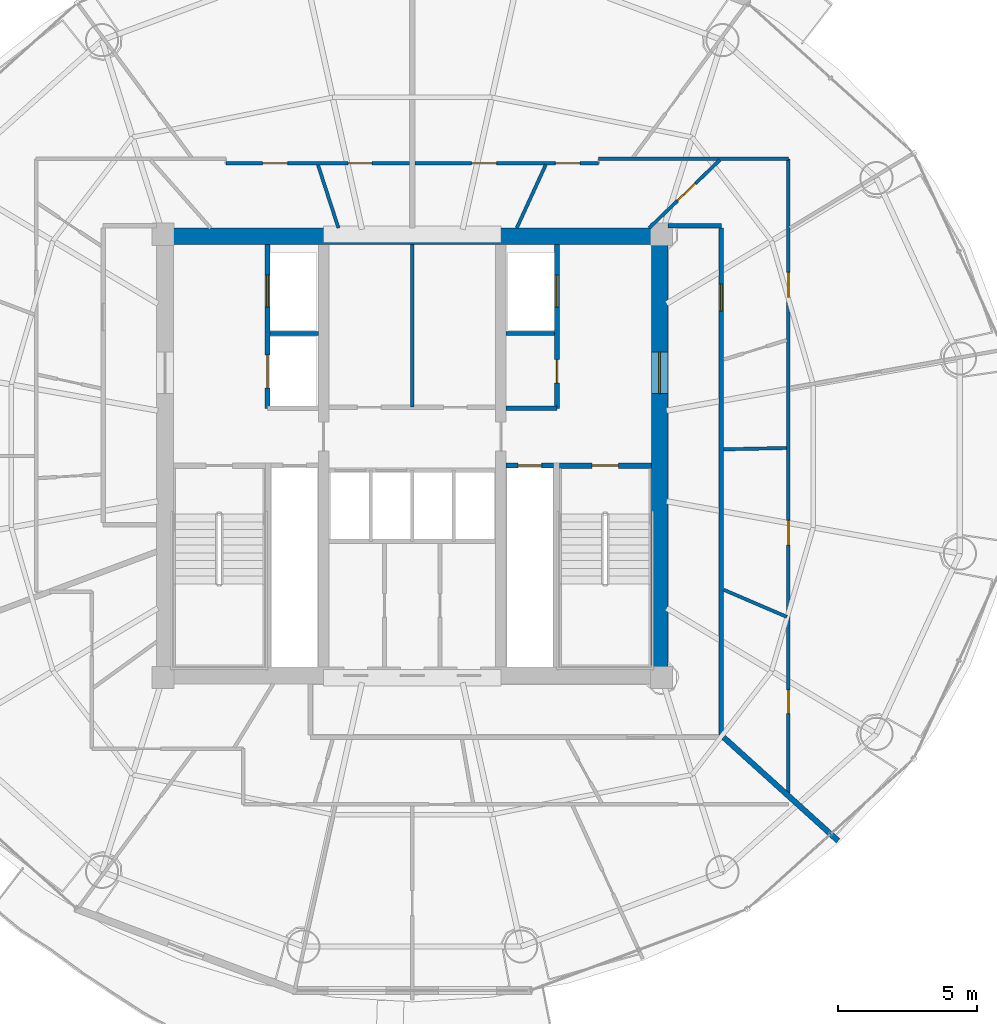
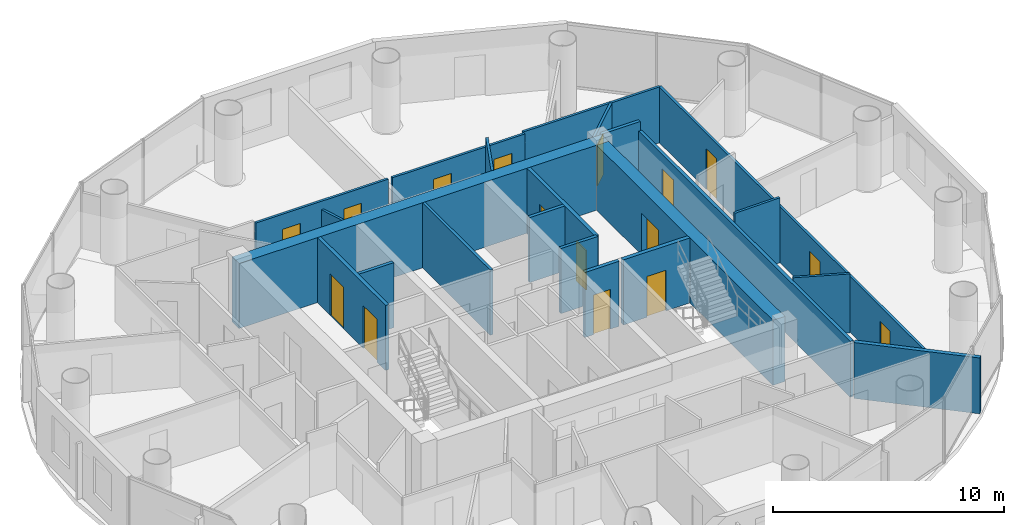
# One storey, part 22 of 26: 22 walls, 16 doors, 16 openings.
"""IFC4 building model written with IfcOpenShell, lengths in metres."""

from ifc_helpers import new_model, si_unit, direction, frame, frame_2d, origin, place, context, subcontext, project, spatial, rectangle, extrude, source, transform, mapped, material, layer, layer_set, type_object, element, fill, save


model = new_model("IFC4")

# Units and contexts
model_context = context("Model", 3, precision=1e-05, world=origin(), true_north=direction((-0.2419218956, 0.970295726276)))
body_context = subcontext(model_context, "Body", "Model", "MODEL_VIEW")
ifc_project = project(units=[si_unit("LENGTHUNIT", "METRE"), si_unit("AREAUNIT", "SQUARE_METRE"), si_unit("VOLUMEUNIT", "CUBIC_METRE"), si_unit("PLANEANGLEUNIT", "RADIAN"), si_unit("MASSUNIT", "GRAM", prefix="KILO")], contexts=[model_context])

# Site, building, storey
site_placement = place(None, origin())
site = spatial("IfcSite", under=ifc_project, at=site_placement, CompositionType="ELEMENT")
building_placement = place(site_placement, origin())
building = spatial("IfcBuilding", under=site, at=building_placement, Name="Cobrevalo Terracotta Tower", CompositionType="ELEMENT")
storey_placement = place(building_placement, frame((0.0, 0.0, 206.0)))
storey = spatial("IfcBuildingStorey", under=building, at=storey_placement, Name="L54", CompositionType="ELEMENT", Elevation=206.0)

# Wall
ifc_material_1 = material(Name="Concrete C55", Category="concrete")
ifc_layer_1 = layer(ifc_material_1, 0.60009765625)
ifc_layer_set_1 = layer_set([ifc_layer_1], Name="Concrete C55")
wall_type_1 = type_object("IfcWallType", Name="Core shear wall 600 mm Concrete C55", PredefinedType="SHEAR", material=ifc_layer_set_1)
wall_1_placement = place(storey_placement, frame((28.77490234375, 34.72509765625, 0.0), z_axis=(0.0, 0.0, 1.0), x_axis=(1.0, 0.0, 0.0)))
element("IfcWall", 1, at=wall_1_placement, inside=storey, type_object=wall_type_1, Name="L54 north core shear wall", PredefinedType="SHEAR", context=body_context, shape_type="SweptSolid", body=[
    extrude(rectangle(XDim=18.4501953125, YDim=0.60009765625, at=frame_2d((9.22509765625, 0.0))), origin(), (0.0, 0.0, 1.0), 3.43505859375),
])

# Wall, opening, door
wall_2_placement = place(storey_placement, frame((46.925048828125, 19.175048828125, 0.0), z_axis=(0.0, 0.0, 1.0), x_axis=(0.0, 1.0, 0.0)))
wall_2 = element("IfcWall", 2, at=wall_2_placement, inside=storey, type_object=wall_type_1, Name="L54 east core shear wall", PredefinedType="SHEAR", context=body_context, shape_type="SweptSolid", body=[
    extrude(rectangle(XDim=15.25, YDim=0.60009765625, at=frame_2d((7.625, 0.0))), origin(), (0.0, 0.0, 1.0), 3.43505859375),
])
opening_1_placement = place(wall_2_placement, frame((9.875, 0.0, 0.0)))
opening_1 = element("IfcOpeningElement", 3, at=opening_1_placement, cuts=wall_2, Name="Opening ID-14", PredefinedType="OPENING", context=body_context, shape_type="SweptSolid", body=[
    extrude(rectangle(XDim=1.5, YDim=2.199951171875, at=frame_2d((0.75, 1.10009765625))), frame((0.0, 0.31005859375, 0.0), z_axis=(0.0, -1.0, 0.0), x_axis=(1.0, 0.0, 0.0)), (0.0, 0.0, 1.0), 0.6201171875),
])
ifc_material_2 = material(Name="Galvanized fire-rated steel", Category="steel")
door_type_1 = type_object("IfcDoorType", Name="Core cross-lobby double fire door 1500x2200 EI 90", OperationType="NOTDEFINED", PredefinedType="DOOR", material=ifc_material_2)
shared_shape_1 = source(origin(), body_context, "Body", "SweptSolid", [
    extrude(rectangle(XDim=1.5, YDim=2.199951171875, at=frame_2d((0.75, 1.10009765625))), frame((0.0, 0.02490234375, 0.0), z_axis=(0.0, -1.0, 0.0), x_axis=(1.0, 0.0, 0.0)), (0.0, 0.0, 1.0), 0.050048828125),
])
door_1_placement = place(opening_1_placement, frame((1.5, 0.0, 0.0), z_axis=(0.0, 0.0, 1.0), x_axis=(-1.0, 0.0, 0.0)))
door_1 = element("IfcDoor", 4, at=door_1_placement, inside=storey, type_object=door_type_1, Name="L54 east firefighting lobby entrance door", OperationType="DOUBLE_DOOR_SINGLE_SWING", OverallHeight=2.199951171875, OverallWidth=1.5, PredefinedType="DOOR", context=body_context, shape_type="MappedRepresentation", body=[
    mapped(shared_shape_1, transform((0.0, 0.0, 0.0), scale=1.0)),
])
fill(opening_1, door_1)

# Walls
ifc_material_3 = material(Name="Gypsum board on steel stud", Category="steel")
ifc_layer_2 = layer(ifc_material_3, 0.159912109375)
ifc_layer_set_2 = layer_set([ifc_layer_2], Name="Gypsum board on steel stud")
wall_type_2 = type_object("IfcWallType", Name="Fire-rated corridor acoustic partition wall 160 mm", PredefinedType="PARTITIONING", material=ifc_layer_set_2)
for number, where, z_axis, x_axis, name in (
    (5, (32.860107421875, 31.219970703125, 0.0), (0.0, 0.0, 1.0), (1.0, 0.0, 0.0), "L54 interior partition IW-L54-FF1-M"),
    (6, (41.389892578125, 31.219970703125, 0.0), (0.0, 0.0, 1.0), (1.0, 0.0, 0.0), "L54 interior partition IW-L54-FF2-M"),
):
    element("IfcWall", number, at=place(storey_placement, frame(where, z_axis=z_axis, x_axis=x_axis)), inside=storey, type_object=wall_type_2, Name=name, PredefinedType="PARTITIONING", context=body_context, shape_type="SweptSolid", body=[
        extrude(rectangle(XDim=1.75, YDim=0.159912109375, at=frame_2d((0.875, 0.0))), origin(), (0.0, 0.0, 1.0), 3.43505859375),
    ])
wall_3_placement = place(storey_placement, frame((41.389892578125, 28.52001953125, 0.0), z_axis=(0.0, 0.0, 1.0), x_axis=(1.0, 0.0, 0.0)))
element("IfcWall", 7, at=wall_3_placement, inside=storey, type_object=wall_type_2, Name="L54 interior partition IW-L54-FF2-S", PredefinedType="PARTITIONING", context=body_context, shape_type="SweptSolid", body=[
    extrude(rectangle(XDim=1.840087890625, YDim=0.159912109375, at=frame_2d((0.919921875, 0.0))), origin(), (0.0, 0.0, 1.0), 3.43505859375),
])

# Wall, opening, door
wall_4_placement = place(storey_placement, frame((49.155029296875, 16.72509765625, 0.0), z_axis=(0.0, 0.0, 1.0), x_axis=(0.0, 1.0, 0.0)))
wall_4 = element("IfcWall", 8, at=wall_4_placement, inside=storey, type_object=wall_type_2, Name="L54 interior partition IW-L54-COR-E", PredefinedType="PARTITIONING", context=body_context, shape_type="SweptSolid", body=[
    extrude(rectangle(XDim=18.2998046875, YDim=0.159912109375, at=frame_2d((9.14990234375, 0.0))), origin(), (0.0, 0.0, 1.0), 2.950927734375),
])
opening_2_placement = place(wall_4_placement, frame((15.301513671875, 0.0, 0.0)))
opening_2 = element("IfcOpeningElement", 9, at=opening_2_placement, cuts=wall_4, Name="Opening ID-05", PredefinedType="OPENING", context=body_context, shape_type="SweptSolid", body=[
    extrude(rectangle(XDim=0.97998046875, YDim=2.199951171875, at=frame_2d((0.489990234375, 1.10009765625))), frame((0.0, 0.08984375, 0.0), z_axis=(0.0, -1.0, 0.0), x_axis=(1.0, 0.0, 0.0)), (0.0, 0.0, 1.0), 0.179931640625),
])
ifc_material_4 = material(Name="Solid hardwood timber", Category="wood")
door_type_2 = type_object("IfcDoorType", Name="Residence entrance fire-rated acoustic timber door 980x2200 EI 60", OperationType="NOTDEFINED", PredefinedType="DOOR", material=ifc_material_4)
shared_shape_2 = source(origin(), body_context, "Body", "SweptSolid", [
    extrude(rectangle(XDim=0.97998046875, YDim=2.199951171875, at=frame_2d((0.489990234375, 1.10009765625))), frame((0.0, 0.02490234375, 0.0), z_axis=(0.0, -1.0, 0.0), x_axis=(1.0, 0.0, 0.0)), (0.0, 0.0, 1.0), 0.050048828125),
])
door_2_placement = place(opening_2_placement, frame((0.97998046875, 0.0, 0.0), z_axis=(0.0, 0.0, 1.0), x_axis=(-1.0, 0.0, 0.0)))
door_2 = element("IfcDoor", 10, at=door_2_placement, inside=storey, type_object=door_type_2, Name="Flat L54C fire-rated apartment entrance door", OperationType="SINGLE_SWING_RIGHT", OverallHeight=2.199951171875, OverallWidth=0.97998046875, PredefinedType="DOOR", context=body_context, shape_type="MappedRepresentation", body=[
    mapped(shared_shape_2, transform((0.0, 0.0, 0.0), scale=1.0)),
])
fill(opening_2, door_2)

# Wall
wall_5_placement = place(storey_placement, frame((47.22509765625, 35.10498046875, 0.0), z_axis=(0.0, 0.0, 1.0), x_axis=(1.0, 0.0, 0.0)))
element("IfcWall", 11, at=wall_5_placement, inside=storey, type_object=wall_type_2, Name="L54 interior partition IW-L54-COR-EN-CAP", PredefinedType="PARTITIONING", context=body_context, shape_type="SweptSolid", body=[
    extrude(rectangle(XDim=1.929931640625, YDim=0.159912109375, at=frame_2d((0.96484375, 0.0))), origin(), (0.0, 0.0, 1.0), 3.43505859375),
])

# Wall, opening, door
ifc_layer_3 = layer(ifc_material_3, 0.179931640625)
ifc_layer_set_3 = layer_set([ifc_layer_3], Name="Gypsum board on steel stud")
wall_type_3 = type_object("IfcWallType", Name="Fire-rated shaft & lobby acoustic partition wall 180 mm", PredefinedType="PARTITIONING", material=ifc_layer_set_3)
wall_6_placement = place(storey_placement, frame((41.389892578125, 26.449951171875, 0.0), z_axis=(0.0, 0.0, 1.0), x_axis=(1.0, 0.0, 0.0)))
wall_6 = element("IfcWall", 12, at=wall_6_placement, inside=storey, type_object=wall_type_3, Name="L54 interior partition IW-L54-RSE-N", PredefinedType="PARTITIONING", context=body_context, shape_type="SweptSolid", body=[
    extrude(rectangle(XDim=1.710205078125, YDim=0.179931640625, at=frame_2d((0.85498046875, 0.0))), origin(), (0.0, 0.0, 1.0), 3.43505859375),
])
opening_3_placement = place(wall_6_placement, frame((0.429931640625, 0.0, 0.0)))
opening_3 = element("IfcOpeningElement", 13, at=opening_3_placement, cuts=wall_6, Name="Opening ID-22", PredefinedType="OPENING", context=body_context, shape_type="SweptSolid", body=[
    extrude(rectangle(XDim=0.85009765625, YDim=2.10009765625, at=frame_2d((0.425048828125, 1.050048828125))), frame((0.0, 0.10009765625, 0.0), z_axis=(0.0, -1.0, 0.0), x_axis=(1.0, 0.0, 0.0)), (0.0, 0.0, 1.0), 0.199951171875),
])
ifc_material_5 = material(Name="Powder-coated steel", Category="steel")
door_type_3 = type_object("IfcDoorType", Name="Riser shaft & meter closet fire access door 850x2100 EI 60", OperationType="NOTDEFINED", PredefinedType="DOOR", material=ifc_material_5)
shared_shape_3 = source(origin(), body_context, "Body", "SweptSolid", [
    extrude(rectangle(XDim=0.85009765625, YDim=2.10009765625, at=frame_2d((0.425048828125, 1.050048828125))), frame((0.0, 0.02490234375, 0.0), z_axis=(0.0, -1.0, 0.0), x_axis=(1.0, 0.0, 0.0)), (0.0, 0.0, 1.0), 0.050048828125),
])
door_3_placement = place(opening_3_placement, origin())
door_3 = element("IfcDoor", 14, at=door_3_placement, inside=storey, type_object=door_type_3, Name="L54 riser access door RSE", OperationType="SINGLE_SWING_RIGHT", OverallHeight=2.10009765625, OverallWidth=0.85009765625, PredefinedType="DOOR", context=body_context, shape_type="MappedRepresentation", body=[
    mapped(shared_shape_3, transform((0.0, 0.0, 0.0), scale=1.0)),
])
fill(opening_3, door_3)

# Wall, openings, doors
wall_7_placement = place(storey_placement, frame((32.77001953125, 28.52001953125, 0.0), z_axis=(0.0, 0.0, 1.0), x_axis=(0.0, 1.0, 0.0)))
wall_7 = element("IfcWall", 15, at=wall_7_placement, inside=storey, type_object=wall_type_3, Name="L54 interior partition IW-L54-FF1-W", PredefinedType="PARTITIONING", context=body_context, shape_type="SweptSolid", body=[
    extrude(rectangle(XDim=5.905029296875, YDim=0.179931640625, at=frame_2d((2.95263671875, 0.0))), origin(), (0.0, 0.0, 1.0), 3.43505859375),
])
opening_4_placement = place(wall_7_placement, frame((3.655029296875, 0.0, 0.0)))
opening_4 = element("IfcOpeningElement", 16, at=opening_4_placement, cuts=wall_7, Name="Opening LD-02", PredefinedType="OPENING", context=body_context, shape_type="SweptSolid", body=[
    extrude(rectangle(XDim=1.14990234375, YDim=2.199951171875, at=frame_2d((0.574951171875, 1.10009765625))), frame((0.0, 0.10009765625, 0.0), z_axis=(0.0, -1.0, 0.0), x_axis=(1.0, 0.0, 0.0)), (0.0, 0.0, 1.0), 0.199951171875),
])
opening_5_placement = place(wall_7_placement, frame((0.72998046875, 0.0, 0.0)))
opening_5 = element("IfcOpeningElement", 17, at=opening_5_placement, cuts=wall_7, Name="Opening LD-03", PredefinedType="OPENING", context=body_context, shape_type="SweptSolid", body=[
    extrude(rectangle(XDim=1.199951171875, YDim=2.25, at=frame_2d((0.60009765625, 1.125))), frame((0.0, 0.10009765625, 0.0), z_axis=(0.0, -1.0, 0.0), x_axis=(1.0, 0.0, 0.0)), (0.0, 0.0, 1.0), 0.199951171875),
])
ifc_material_6 = material(Name="Brushed stainless steel", Category="steel")
door_type_4 = type_object("IfcDoorType", Name="Firefighting lift landing bi-parting sliding door 1150x2200 EI 120", OperationType="DOUBLE_DOOR_SLIDING", PredefinedType="DOOR", material=ifc_material_6)
shared_shape_4 = source(origin(), body_context, "Body", "SweptSolid", [
    extrude(rectangle(XDim=1.14990234375, YDim=2.199951171875, at=frame_2d((0.574951171875, 1.10009765625))), frame((0.0, 0.02490234375, 0.0), z_axis=(0.0, -1.0, 0.0), x_axis=(1.0, 0.0, 0.0)), (0.0, 0.0, 1.0), 0.050048828125),
])
door_4_placement = place(opening_4_placement, origin())
door_4 = element("IfcDoor", 18, at=door_4_placement, inside=storey, type_object=door_type_4, Name="L54 lift landing door FF-1", OperationType="DOUBLE_DOOR_SLIDING", OverallHeight=2.199951171875, OverallWidth=1.14990234375, PredefinedType="DOOR", context=body_context, shape_type="MappedRepresentation", body=[
    mapped(shared_shape_4, transform((0.0, 0.0, 0.0), scale=1.0)),
])
fill(opening_4, door_4)
door_type_5 = type_object("IfcDoorType", Name="Service lift landing bi-parting sliding door 1200x2250 EI 120", OperationType="DOUBLE_DOOR_SLIDING", PredefinedType="DOOR", material=ifc_material_6)
shared_shape_5 = source(origin(), body_context, "Body", "SweptSolid", [
    extrude(rectangle(XDim=1.199951171875, YDim=2.25, at=frame_2d((0.60009765625, 1.125))), frame((0.0, 0.02490234375, 0.0), z_axis=(0.0, -1.0, 0.0), x_axis=(1.0, 0.0, 0.0)), (0.0, 0.0, 1.0), 0.050048828125),
])
door_5_placement = place(opening_5_placement, origin())
door_5 = element("IfcDoor", 19, at=door_5_placement, inside=storey, type_object=door_type_5, Name="L54 lift landing door SV-1", OperationType="DOUBLE_DOOR_SLIDING", OverallHeight=2.25, OverallWidth=1.199951171875, PredefinedType="DOOR", context=body_context, shape_type="MappedRepresentation", body=[
    mapped(shared_shape_5, transform((0.0, 0.0, 0.0), scale=1.0)),
])
fill(opening_5, door_5)

wall_8_placement = place(storey_placement, frame((43.22998046875, 28.52001953125, 0.0), z_axis=(0.0, 0.0, 1.0), x_axis=(0.0, 1.0, 0.0)))
wall_8 = element("IfcWall", 20, at=wall_8_placement, inside=storey, type_object=wall_type_3, Name="L54 interior partition IW-L54-FF2-E", PredefinedType="PARTITIONING", context=body_context, shape_type="SweptSolid", body=[
    extrude(rectangle(XDim=5.905029296875, YDim=0.179931640625, at=frame_2d((2.95263671875, 0.0))), origin(), (0.0, 0.0, 1.0), 3.43505859375),
])
opening_6_placement = place(wall_8_placement, frame((0.905029296875, 0.0, 0.0)))
opening_6 = element("IfcOpeningElement", 21, at=opening_6_placement, cuts=wall_8, Name="Opening ID-22", PredefinedType="OPENING", context=body_context, shape_type="SweptSolid", body=[
    extrude(rectangle(XDim=0.85009765625, YDim=2.10009765625, at=frame_2d((0.425048828125, 1.050048828125))), frame((0.0, 0.10009765625, 0.0), z_axis=(0.0, -1.0, 0.0), x_axis=(1.0, 0.0, 0.0)), (0.0, 0.0, 1.0), 0.199951171875),
])
opening_7_placement = place(wall_8_placement, frame((3.655029296875, 0.0, 0.0)))
opening_7 = element("IfcOpeningElement", 22, at=opening_7_placement, cuts=wall_8, Name="Opening LD-02", PredefinedType="OPENING", context=body_context, shape_type="SweptSolid", body=[
    extrude(rectangle(XDim=1.14990234375, YDim=2.199951171875, at=frame_2d((0.574951171875, 1.10009765625))), frame((0.0, 0.10009765625, 0.0), z_axis=(0.0, -1.0, 0.0), x_axis=(1.0, 0.0, 0.0)), (0.0, 0.0, 1.0), 0.199951171875),
])
door_6_placement = place(opening_6_placement, frame((0.85009765625, 0.0, 0.0), z_axis=(0.0, 0.0, 1.0), x_axis=(-1.0, 0.0, 0.0)))
door_6 = element("IfcDoor", 23, at=door_6_placement, inside=storey, type_object=door_type_3, Name="L54 housekeeping store door", OperationType="SINGLE_SWING_RIGHT", OverallHeight=2.10009765625, OverallWidth=0.85009765625, PredefinedType="DOOR", context=body_context, shape_type="MappedRepresentation", body=[
    mapped(shared_shape_3, transform((0.0, 0.0, 0.0), scale=1.0)),
])
fill(opening_6, door_6)
door_7_placement = place(opening_7_placement, origin())
door_7 = element("IfcDoor", 24, at=door_7_placement, inside=storey, type_object=door_type_4, Name="L54 lift landing door FF-2", OperationType="DOUBLE_DOOR_SLIDING", OverallHeight=2.199951171875, OverallWidth=1.14990234375, PredefinedType="DOOR", context=body_context, shape_type="MappedRepresentation", body=[
    mapped(shared_shape_4, transform((0.0, 0.0, 0.0), scale=1.0)),
])
fill(opening_7, door_7)

# Walls
ifc_material_7 = material(Name="Autoclaved aerated concrete block", Category="concrete")
ifc_layer_4 = layer(ifc_material_7, 0.199951171875)
ifc_layer_set_4 = layer_set([ifc_layer_4], Name="Autoclaved aerated concrete block")
wall_type_4 = type_object("IfcWallType", Name="Fire-rated stair, shaft & demising masonry wall 200 mm", PredefinedType="PARTITIONING", material=ifc_layer_set_4)
wall_9_placement = place(storey_placement, frame((49.235107421875, 16.647216796875, 0.0), z_axis=(0.0, 0.0, 1.0), x_axis=(0.741935290449, -0.670471494387, 0.0)))
element("IfcWall", 25, at=wall_9_placement, inside=storey, type_object=wall_type_4, Name="L54 interior partition IW-L54-DEM-3", PredefinedType="PARTITIONING", context=body_context, shape_type="SweptSolid", body=[
    extrude(rectangle(XDim=5.572021484375, YDim=0.199951171875, at=frame_2d((2.7861328125, 0.0))), origin(), (0.0, 0.0, 1.0), 2.950927734375),
])
ifc_layer_5 = layer(ifc_material_7, 0.139892578125)
ifc_layer_set_5 = layer_set([ifc_layer_5], Name="Autoclaved aerated concrete block")
wall_type_5 = type_object("IfcWallType", Name="Moisture-resistant wet-room & core service partition 140 mm", PredefinedType="PARTITIONING", material=ifc_layer_set_5)
wall_10_placement = place(storey_placement, frame((38.0, 28.56005859375, 0.0), z_axis=(0.0, 0.0, 1.0), x_axis=(0.0, 1.0, 0.0)))
element("IfcWall", 26, at=wall_10_placement, inside=storey, type_object=wall_type_5, Name="L54 interior partition IW-L54-KVN-1", PredefinedType="PARTITIONING", context=body_context, shape_type="SweptSolid", body=[
    extrude(rectangle(XDim=5.864990234375, YDim=0.139892578125, at=frame_2d((2.9326171875, 0.0))), origin(), (0.0, 0.0, 1.0), 3.43505859375),
])

# Wall, openings, doors
ifc_layer_6 = layer(ifc_material_3, 0.1201171875)
ifc_layer_set_6 = layer_set([ifc_layer_6], Name="Gypsum board on steel stud")
wall_type_6 = type_object("IfcWallType", Name="Residential internal acoustic stud partition 120 mm", PredefinedType="PARTITIONING", material=ifc_layer_set_6)
wall_11_placement = place(storey_placement, frame((31.27490234375, 37.364990234375, 0.0), z_axis=(0.0, 0.0, 1.0), x_axis=(1.0, 0.0, 0.0)))
wall_11 = element("IfcWall", 27, at=wall_11_placement, inside=storey, type_object=wall_type_6, Name="L54 interior partition IW-L54-U1-RING4_0", PredefinedType="PARTITIONING", context=body_context, shape_type="SweptSolid", body=[
    extrude(rectangle(XDim=6.623046875, YDim=0.1201171875, at=frame_2d((3.3115234375, 0.0))), origin(), (0.0, 0.0, 1.0), 2.950927734375),
])
opening_8_placement = place(wall_11_placement, frame((4.413330078125, 0.0, 0.0)))
opening_8 = element("IfcOpeningElement", 28, at=opening_8_placement, cuts=wall_11, Name="Opening ID-19", PredefinedType="OPENING", context=body_context, shape_type="SweptSolid", body=[
    extrude(rectangle(XDim=0.860107421875, YDim=2.14990234375, at=frame_2d((0.43017578125, 1.074951171875))), frame((0.0, 0.070068359375, 0.0), z_axis=(0.0, -1.0, 0.0), x_axis=(1.0, 0.0, 0.0)), (0.0, 0.0, 1.0), 0.14013671875),
])
opening_9_placement = place(wall_11_placement, frame((1.327880859375, 0.0, 0.0)))
opening_9 = element("IfcOpeningElement", 29, at=opening_9_placement, cuts=wall_11, Name="Opening ID-12", PredefinedType="OPENING", context=body_context, shape_type="SweptSolid", body=[
    extrude(rectangle(XDim=0.89990234375, YDim=2.14990234375, at=frame_2d((0.449951171875, 1.074951171875))), frame((0.0, 0.070068359375, 0.0), z_axis=(0.0, -1.0, 0.0), x_axis=(1.0, 0.0, 0.0)), (0.0, 0.0, 1.0), 0.14013671875),
])
ifc_material_8 = material(Name="Moisture-sealed timber", Category="wood")
door_type_6 = type_object("IfcDoorType", Name="Suite bathroom internal timber door 860x2150", OperationType="NOTDEFINED", PredefinedType="DOOR", material=ifc_material_8)
shared_shape_6 = source(origin(), body_context, "Body", "SweptSolid", [
    extrude(rectangle(XDim=0.860107421875, YDim=2.14990234375, at=frame_2d((0.43017578125, 1.074951171875))), frame((0.0, 0.02490234375, 0.0), z_axis=(0.0, -1.0, 0.0), x_axis=(1.0, 0.0, 0.0)), (0.0, 0.0, 1.0), 0.050048828125),
])
door_8_placement = place(opening_8_placement, frame((0.860107421875, 0.0, 0.0), z_axis=(0.0, 0.0, 1.0), x_axis=(-1.0, 0.0, 0.0)))
door_8 = element("IfcDoor", 30, at=door_8_placement, inside=storey, type_object=door_type_6, Name="Flat L54A Guest Bathroom internal door", OperationType="SINGLE_SWING_LEFT", OverallHeight=2.14990234375, OverallWidth=0.860107421875, PredefinedType="DOOR", context=body_context, shape_type="MappedRepresentation", body=[
    mapped(shared_shape_6, transform((0.0, 0.0, 0.0), scale=1.0)),
])
fill(opening_8, door_8)
ifc_material_9 = material(Name="Engineered timber", Category="wood")
door_type_7 = type_object("IfcDoorType", Name="Internal residence & suite timber door 900x2150", OperationType="NOTDEFINED", PredefinedType="DOOR", material=ifc_material_9)
shared_shape_7 = source(origin(), body_context, "Body", "SweptSolid", [
    extrude(rectangle(XDim=0.89990234375, YDim=2.14990234375, at=frame_2d((0.449951171875, 1.074951171875))), frame((0.0, 0.02490234375, 0.0), z_axis=(0.0, -1.0, 0.0), x_axis=(1.0, 0.0, 0.0)), (0.0, 0.0, 1.0), 0.050048828125),
])
door_9_placement = place(opening_9_placement, frame((0.89990234375, 0.0, 0.0), z_axis=(0.0, 0.0, 1.0), x_axis=(-1.0, 0.0, 0.0)))
door_9 = element("IfcDoor", 31, at=door_9_placement, inside=storey, type_object=door_type_7, Name="Flat L54A Home Office Study internal door", OperationType="SINGLE_SWING_RIGHT", OverallHeight=2.14990234375, OverallWidth=0.89990234375, PredefinedType="DOOR", context=body_context, shape_type="MappedRepresentation", body=[
    mapped(shared_shape_7, transform((0.0, 0.0, 0.0), scale=1.0)),
])
fill(opening_9, door_9)

# Wall
wall_12_placement = place(storey_placement, frame((35.335693359375, 35.02685546875, 0.0), z_axis=(0.0, 0.0, 1.0), x_axis=(-0.308083476138, 0.951359328398, 0.0)))
element("IfcWall", 32, at=wall_12_placement, inside=storey, type_object=wall_type_6, Name="L54 interior partition IW-L54-U1-IRAD1", PredefinedType="PARTITIONING", context=body_context, shape_type="SweptSolid", body=[
    extrude(rectangle(XDim=2.3955078125, YDim=0.1201171875, at=frame_2d((1.19775390625, 0.0))), origin(), (0.0, 0.0, 1.0), 2.52001953125),
])

# Wall, openings, doors
wall_13_placement = place(storey_placement, frame((38.10205078125, 37.364990234375, 0.0), z_axis=(0.0, 0.0, 1.0), x_axis=(1.0, 0.0, 0.0)))
wall_13 = element("IfcWall", 33, at=wall_13_placement, inside=storey, type_object=wall_type_6, Name="L54 interior partition IW-L54-U3-RING0_0", PredefinedType="PARTITIONING", context=body_context, shape_type="SweptSolid", body=[
    extrude(rectangle(XDim=6.623046875, YDim=0.1201171875, at=frame_2d((3.3115234375, 0.0))), origin(), (0.0, 0.0, 1.0), 2.950927734375),
])
opening_10_placement = place(wall_13_placement, frame((5.059814453125, 0.0, 0.0)))
opening_10 = element("IfcOpeningElement", 34, at=opening_10_placement, cuts=wall_13, Name="Opening ID-12", PredefinedType="OPENING", context=body_context, shape_type="SweptSolid", body=[
    extrude(rectangle(XDim=0.89990234375, YDim=2.14990234375, at=frame_2d((0.449951171875, 1.074951171875))), frame((0.0, 0.070068359375, 0.0), z_axis=(0.0, -1.0, 0.0), x_axis=(1.0, 0.0, 0.0)), (0.0, 0.0, 1.0), 0.14013671875),
])
opening_11_placement = place(wall_13_placement, frame((2.040283203125, 0.0, 0.0)))
opening_11 = element("IfcOpeningElement", 35, at=opening_11_placement, cuts=wall_13, Name="Opening ID-12", PredefinedType="OPENING", context=body_context, shape_type="SweptSolid", body=[
    extrude(rectangle(XDim=0.89990234375, YDim=2.14990234375, at=frame_2d((0.449951171875, 1.074951171875))), frame((0.0, 0.070068359375, 0.0), z_axis=(0.0, -1.0, 0.0), x_axis=(1.0, 0.0, 0.0)), (0.0, 0.0, 1.0), 0.14013671875),
])
door_10_placement = place(opening_10_placement, origin())
door_10 = element("IfcDoor", 36, at=door_10_placement, inside=storey, type_object=door_type_7, Name="Flat L54C Penthouse Family Lounge internal door", OperationType="SINGLE_SWING_LEFT", OverallHeight=2.14990234375, OverallWidth=0.89990234375, PredefinedType="DOOR", context=body_context, shape_type="MappedRepresentation", body=[
    mapped(shared_shape_7, transform((0.0, 0.0, 0.0), scale=1.0)),
])
fill(opening_10, door_10)
door_11_placement = place(opening_11_placement, frame((0.89990234375, 0.0, 0.0), z_axis=(0.0, 0.0, 1.0), x_axis=(-1.0, 0.0, 0.0)))
door_11 = element("IfcDoor", 37, at=door_11_placement, inside=storey, type_object=door_type_7, Name="Flat L54C Utility Closet internal door", OperationType="SINGLE_SWING_RIGHT", OverallHeight=2.14990234375, OverallWidth=0.89990234375, PredefinedType="DOOR", context=body_context, shape_type="MappedRepresentation", body=[
    mapped(shared_shape_7, transform((0.0, 0.0, 0.0), scale=1.0)),
])
fill(opening_11, door_11)

# Wall
wall_14_placement = place(storey_placement, frame((44.72509765625, 37.52490234375, 0.0), z_axis=(0.0, 0.0, 1.0), x_axis=(1.0, 0.0, 0.0)))
element("IfcWall", 38, at=wall_14_placement, inside=storey, type_object=wall_type_6, Name="L54 interior partition IW-L54-U3-RING2_0", PredefinedType="PARTITIONING", context=body_context, shape_type="SweptSolid", body=[
    extrude(rectangle(XDim=6.849853515625, YDim=0.1201171875, at=frame_2d((3.4248046875, 0.0))), origin(), (0.0, 0.0, 1.0), 2.950927734375),
])

# Wall, openings, doors
wall_15_placement = place(storey_placement, frame((51.574951171875, 37.52490234375, 0.0), z_axis=(0.0, 0.0, 1.0), x_axis=(0.0, -1.0, 0.0)))
wall_15 = element("IfcWall", 39, at=wall_15_placement, inside=storey, type_object=wall_type_6, Name="L54 interior partition IW-L54-U3-RING3_0", PredefinedType="PARTITIONING", context=body_context, shape_type="SweptSolid", body=[
    extrude(rectangle(XDim=22.89013671875, YDim=0.1201171875, at=frame_2d((11.445068359375, 0.0))), origin(), (0.0, 0.0, 1.0), 2.950927734375),
])
opening_12_placement = place(wall_15_placement, frame((4.10205078125, 0.0, 0.0)))
opening_12 = element("IfcOpeningElement", 40, at=opening_12_placement, cuts=wall_15, Name="Opening ID-12", PredefinedType="OPENING", context=body_context, shape_type="SweptSolid", body=[
    extrude(rectangle(XDim=0.89990234375, YDim=2.14990234375, at=frame_2d((0.449951171875, 1.074951171875))), frame((0.0, 0.070068359375, 0.0), z_axis=(0.0, -1.0, 0.0), x_axis=(1.0, 0.0, 0.0)), (0.0, 0.0, 1.0), 0.14013671875),
])
opening_13_placement = place(wall_15_placement, frame((19.162841796875, 0.0, 0.0)))
opening_13 = element("IfcOpeningElement", 41, at=opening_13_placement, cuts=wall_15, Name="Opening ID-19", PredefinedType="OPENING", context=body_context, shape_type="SweptSolid", body=[
    extrude(rectangle(XDim=0.860107421875, YDim=2.14990234375, at=frame_2d((0.43017578125, 1.074951171875))), frame((0.0, 0.070068359375, 0.0), z_axis=(0.0, -1.0, 0.0), x_axis=(1.0, 0.0, 0.0)), (0.0, 0.0, 1.0), 0.14013671875),
])
opening_14_placement = place(wall_15_placement, frame((13.04638671875, 0.0, 0.0)))
opening_14 = element("IfcOpeningElement", 42, at=opening_14_placement, cuts=wall_15, Name="Opening ID-12", PredefinedType="OPENING", context=body_context, shape_type="SweptSolid", body=[
    extrude(rectangle(XDim=0.89990234375, YDim=2.14990234375, at=frame_2d((0.449951171875, 1.074951171875))), frame((0.0, 0.070068359375, 0.0), z_axis=(0.0, -1.0, 0.0), x_axis=(1.0, 0.0, 0.0)), (0.0, 0.0, 1.0), 0.14013671875),
])
door_12_placement = place(opening_13_placement, frame((0.860107421875, 0.0, 0.0), z_axis=(0.0, 0.0, 1.0), x_axis=(-1.0, 0.0, 0.0)))
door_12 = element("IfcDoor", 43, at=door_12_placement, inside=storey, type_object=door_type_6, Name="Flat L54C Guest Bathroom internal door", OperationType="SINGLE_SWING_RIGHT", OverallHeight=2.14990234375, OverallWidth=0.860107421875, PredefinedType="DOOR", context=body_context, shape_type="MappedRepresentation", body=[
    mapped(shared_shape_6, transform((0.0, 0.0, 0.0), scale=1.0)),
])
fill(opening_13, door_12)
door_13_placement = place(opening_12_placement, origin())
door_13 = element("IfcDoor", 44, at=door_13_placement, inside=storey, type_object=door_type_7, Name="Flat L54C Master Bedroom internal door", OperationType="SINGLE_SWING_LEFT", OverallHeight=2.14990234375, OverallWidth=0.89990234375, PredefinedType="DOOR", context=body_context, shape_type="MappedRepresentation", body=[
    mapped(shared_shape_7, transform((0.0, 0.0, 0.0), scale=1.0)),
])
fill(opening_12, door_13)
door_14_placement = place(opening_14_placement, frame((0.89990234375, 0.0, 0.0), z_axis=(0.0, 0.0, 1.0), x_axis=(-1.0, 0.0, 0.0)))
door_14 = element("IfcDoor", 45, at=door_14_placement, inside=storey, type_object=door_type_7, Name="Flat L54C Home Office Study internal door", OperationType="SINGLE_SWING_LEFT", OverallHeight=2.14990234375, OverallWidth=0.89990234375, PredefinedType="DOOR", context=body_context, shape_type="MappedRepresentation", body=[
    mapped(shared_shape_7, transform((0.0, 0.0, 0.0), scale=1.0)),
])
fill(opening_14, door_14)

# Walls
wall_16_placement = place(storey_placement, frame((49.23681640625, 21.972900390625, 0.0), z_axis=(0.0, 0.0, 1.0), x_axis=(0.91880901308, -0.394702416364, 0.0)))
element("IfcWall", 46, at=wall_16_placement, inside=storey, type_object=wall_type_6, Name="L54 interior partition IW-L54-U3-IRAD1", PredefinedType="PARTITIONING", context=body_context, shape_type="SweptSolid", body=[
    extrude(rectangle(XDim=2.48291015625, YDim=0.1201171875, at=frame_2d((1.241455078125, 0.0))), origin(), (0.0, 0.0, 1.0), 3.110107421875),
])
wall_17_placement = place(storey_placement, frame((49.237060546875, 27.039306640625, 0.0), z_axis=(0.0, 0.0, 1.0), x_axis=(0.999772223164, 0.021342487922, 0.0)))
element("IfcWall", 47, at=wall_17_placement, inside=storey, type_object=wall_type_6, Name="L54 interior partition IW-L54-U3-IRAD2", PredefinedType="PARTITIONING", context=body_context, shape_type="SweptSolid", body=[
    extrude(rectangle(XDim=2.2763671875, YDim=0.1201171875, at=frame_2d((1.13818359375, 0.0))), origin(), (0.0, 0.0, 1.0), 3.43505859375),
])

# Wall, opening, door
wall_18_placement = place(storey_placement, frame((46.548583984375, 35.0263671875, 0.0), z_axis=(0.0, 0.0, 1.0), x_axis=(0.720557461206, 0.693395230082, 0.0)))
wall_18 = element("IfcWall", 48, at=wall_18_placement, inside=storey, type_object=wall_type_6, Name="L54 interior partition IW-L54-U3-IRAD4", PredefinedType="PARTITIONING", context=body_context, shape_type="SweptSolid", body=[
    extrude(rectangle(XDim=3.541259765625, YDim=0.1201171875, at=frame_2d((1.7705078125, 0.0))), origin(), (0.0, 0.0, 1.0), 2.950927734375),
])
opening_15_placement = place(wall_18_placement, frame((1.418701171875, 0.0, 0.0)))
opening_15 = element("IfcOpeningElement", 49, at=opening_15_placement, cuts=wall_18, Name="Opening ID-12", PredefinedType="OPENING", context=body_context, shape_type="SweptSolid", body=[
    extrude(rectangle(XDim=0.89990234375, YDim=2.14990234375, at=frame_2d((0.449951171875, 1.074951171875))), frame((0.0, 0.070068359375, 0.0), z_axis=(0.0, -1.0, 0.0), x_axis=(1.0, 0.0, 0.0)), (0.0, 0.0, 1.0), 0.14013671875),
])
door_15_placement = place(opening_15_placement, origin())
door_15 = element("IfcDoor", 50, at=door_15_placement, inside=storey, type_object=door_type_7, Name="Flat L54C Kitchen internal door", OperationType="SINGLE_SWING_RIGHT", OverallHeight=2.14990234375, OverallWidth=0.89990234375, PredefinedType="DOOR", context=body_context, shape_type="MappedRepresentation", body=[
    mapped(shared_shape_7, transform((0.0, 0.0, 0.0), scale=1.0)),
])
fill(opening_15, door_15)

# Wall
wall_19_placement = place(storey_placement, frame((41.77099609375, 35.02685546875, 0.0), z_axis=(0.0, 0.0, 1.0), x_axis=(0.416688202143, 0.909049471808, 0.0)))
element("IfcWall", 51, at=wall_19_placement, inside=storey, type_object=wall_type_6, Name="L54 interior partition IW-L54-U3-IRAD5", PredefinedType="PARTITIONING", context=body_context, shape_type="SweptSolid", body=[
    extrude(rectangle(XDim=2.510009765625, YDim=0.1201171875, at=frame_2d((1.2548828125, 0.0))), origin(), (0.0, 0.0, 1.0), 3.43505859375),
])

# Wall, opening, door
ifc_material_10 = material(Name="Concrete C50", Category="concrete")
ifc_layer_7 = layer(ifc_material_10, 0.199951171875)
ifc_layer_set_7 = layer_set([ifc_layer_7], Name="Concrete C50")
wall_type_7 = type_object("IfcWallType", Name="Structural core & podium stair-shaft RC wall 200 mm Concrete C50", PredefinedType="SOLIDWALL", material=ifc_layer_set_7)
wall_20_placement = place(storey_placement, frame((43.304931640625, 26.449951171875, 0.0), z_axis=(0.0, 0.0, 1.0), x_axis=(1.0, 0.0, 0.0)))
wall_20 = element("IfcWall", 52, at=wall_20_placement, inside=storey, type_object=wall_type_7, Name="L54 ST-2 north structural shaft wall", PredefinedType="SOLIDWALL", context=body_context, shape_type="SweptSolid", body=[
    extrude(rectangle(XDim=3.320068359375, YDim=0.199951171875, at=frame_2d((1.66015625, 0.0))), origin(), (0.0, 0.0, 1.0), 3.43505859375),
])
opening_16_placement = place(wall_20_placement, frame((1.18505859375, 0.0, 0.0)))
opening_16 = element("IfcOpeningElement", 53, at=opening_16_placement, cuts=wall_20, Name="Opening ID-04", PredefinedType="OPENING", context=body_context, shape_type="SweptSolid", body=[
    extrude(rectangle(XDim=0.949951171875, YDim=2.14990234375, at=frame_2d((0.47509765625, 1.074951171875))), frame((0.0, 0.10986328125, 0.0), z_axis=(0.0, -1.0, 0.0), x_axis=(1.0, 0.0, 0.0)), (0.0, 0.0, 1.0), 0.219970703125),
])
door_type_8 = type_object("IfcDoorType", Name="Stair & firefighting lobby fire door 950x2150 EI 90", OperationType="NOTDEFINED", PredefinedType="DOOR", material=ifc_material_2)
shared_shape_8 = source(origin(), body_context, "Body", "SweptSolid", [
    extrude(rectangle(XDim=0.949951171875, YDim=2.14990234375, at=frame_2d((0.47509765625, 1.074951171875))), frame((0.0, 0.02490234375, 0.0), z_axis=(0.0, -1.0, 0.0), x_axis=(1.0, 0.0, 0.0)), (0.0, 0.0, 1.0), 0.050048828125),
])
door_16_placement = place(opening_16_placement, frame((0.949951171875, 0.0, 0.0), z_axis=(0.0, 0.0, 1.0), x_axis=(-1.0, 0.0, 0.0)))
door_16 = element("IfcDoor", 54, at=door_16_placement, inside=storey, type_object=door_type_8, Name="L54 protected stair ST2 fire door", OperationType="SINGLE_SWING_RIGHT", OverallHeight=2.14990234375, OverallWidth=0.949951171875, PredefinedType="DOOR", context=body_context, shape_type="MappedRepresentation", body=[
    mapped(shared_shape_8, transform((0.0, 0.0, 0.0), scale=1.0)),
])
fill(opening_16, door_16)

save(model, "model.ifc")
